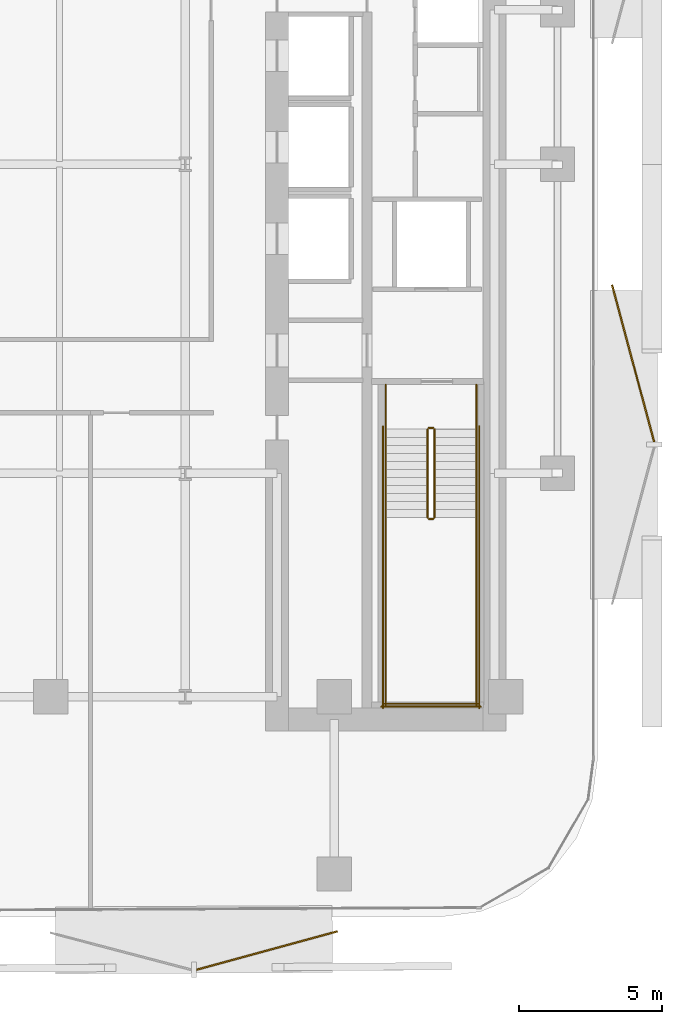
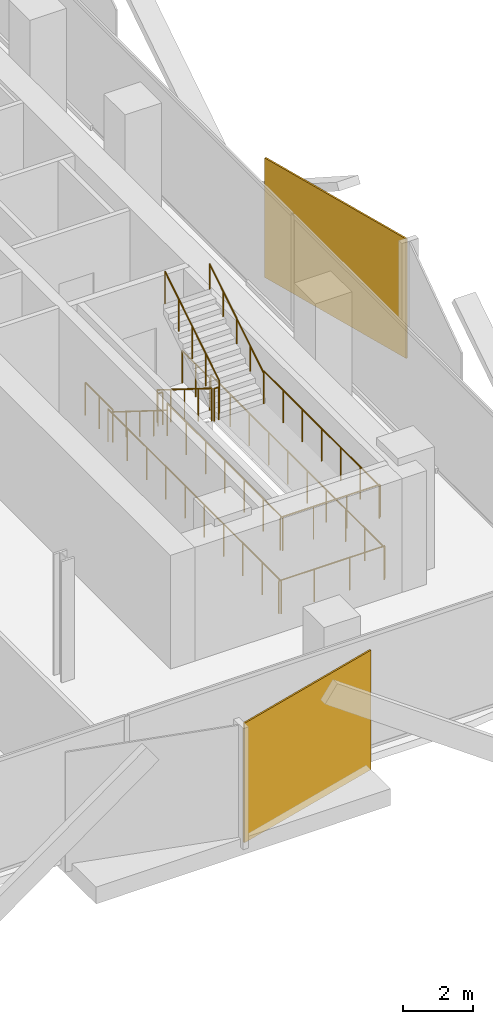
# One storey, part 12 of 14: 14 railings, 2 coverings.
"""IFC4 building model written with IfcOpenShell, lengths in metres."""

import ifcopenshell
import ifcopenshell.guid

model = None  # the IFC model being written
_history = None  # IfcOwnerHistory: only IFC2X3 demands one
_inside = {}  # id of a spatial element -> (the spatial element, [elements in it])
_under = {}  # id of a project, library or spatial element -> (it, [spatial elements below it])
_declared = {}  # id of a project -> (the project, [libraries it declares])
_typed = {}  # id of a type object -> (the type object, [elements of that type])
_made_of = {}  # id of a material, layer set ... -> (it, [elements and type objects made of it])


def new_model(schema):
    """Start an empty IFC model of exactly this schema.

    Asked for "IFC4X3", IfcOpenShell would pick the latest addendum, in which some entities
    have other attributes; the version numbers below select the first issue.
    IFC2X3 requires an IfcOwnerHistory on every rooted entity: one is made here for all.
    """
    global model, _history
    if schema == "IFC4X3":
        model = ifcopenshell.file(schema_version=(4, 3, 0, 0))
    else:
        model = ifcopenshell.file(schema=schema)
    _inside.clear()
    _under.clear()
    _declared.clear()
    _typed.clear()
    _made_of.clear()
    _history = None
    if model.schema == "IFC2X3":
        org = make("IfcOrganization", Name="unknown")
        user = make(
            "IfcPersonAndOrganization",
            ThePerson=make("IfcPerson", FamilyName="unknown"),
            TheOrganization=org,
        )
        app = make(
            "IfcApplication",
            ApplicationDeveloper=org,
            Version="unknown",
            ApplicationFullName="unknown",
            ApplicationIdentifier="unknown",
        )
        _history = make(
            "IfcOwnerHistory",
            OwningUser=user,
            OwningApplication=app,
            ChangeAction="ADDED",
            CreationDate=0,
        )
    return model


def make(cls, **values):
    """One entity of the class cls with the attributes given. An attribute that is None is left unset."""
    return model.create_entity(
        cls, **{name: value for name, value in values.items() if value is not None}
    )


def rooted(cls, **values):
    """An entity with a GlobalId (a new one), such as an element, a storey or a relation."""
    return make(cls, GlobalId=ifcopenshell.guid.new(), OwnerHistory=_history, **values)


def si_unit(unit_type, name, prefix=None):
    """IfcSIUnit, for example si_unit("LENGTHUNIT", "METRE", prefix="MILLI")."""
    return make("IfcSIUnit", UnitType=unit_type, Prefix=prefix, Name=name)


def assignment(units):
    """IfcUnitAssignment: the units of a project."""
    return None if units is None else make("IfcUnitAssignment", Units=units)


def point(xyz):
    """IfcCartesianPoint."""
    return None if xyz is None else make("IfcCartesianPoint", Coordinates=xyz)


def direction(xyz):
    """IfcDirection."""
    return None if xyz is None else make("IfcDirection", DirectionRatios=xyz)


def frame(location, z_axis=None, x_axis=None):
    """IfcAxis2Placement3D, a coordinate frame: its origin and axes. An axis left out is left unset."""
    return make(
        "IfcAxis2Placement3D",
        Location=point(location),
        Axis=direction(z_axis),
        RefDirection=direction(x_axis),
    )


def frame_2d(location, x_axis=None):
    """IfcAxis2Placement2D, a coordinate frame in the plane: its origin and x axis."""
    return make(
        "IfcAxis2Placement2D", Location=point(location), RefDirection=direction(x_axis)
    )


def origin():
    """The frame at (0, 0, 0) with its axes left unset."""
    return frame((0.0, 0.0, 0.0))


def origin_2d():
    """The frame at (0, 0) in the plane with its x axis left unset."""
    return frame_2d((0.0, 0.0))


def place(relative_to, where):
    """IfcLocalPlacement: puts the frame where relative to a parent placement (None: the world)."""
    return make(
        "IfcLocalPlacement", PlacementRelTo=relative_to, RelativePlacement=where
    )


def context(
    kind, dimensions, precision=None, world=None, true_north=None, identifier=None
):
    """IfcGeometricRepresentationContext, for example the 3D "Model" context."""
    return make(
        "IfcGeometricRepresentationContext",
        ContextIdentifier=identifier,
        ContextType=kind,
        CoordinateSpaceDimension=dimensions,
        Precision=precision,
        WorldCoordinateSystem=world,
        TrueNorth=true_north,
    )


def subcontext(parent, identifier, kind, view, scale=None):
    """IfcGeometricRepresentationSubContext, for example "Body" below "Model"."""
    return make(
        "IfcGeometricRepresentationSubContext",
        ContextIdentifier=identifier,
        ContextType=kind,
        ParentContext=parent,
        TargetScale=scale,
        TargetView=view,
    )


def project(units=None, contexts=None):
    """IfcProject with its units and contexts."""
    return rooted(
        "IfcProject",
        Name="project",
        RepresentationContexts=contexts,
        UnitsInContext=assignment(units),
    )


def spatial(cls, under=None, at=None, **own):
    """A site, building, storey or space (cls), placed at a placement, below another one or the project."""
    s = rooted(cls, ObjectPlacement=at, **own)
    if under is not None:
        _under.setdefault(under.id(), (under, []))[1].append(s)
    return s


def profile(cls, at=None, kind="AREA", **sizes):
    """A parametric profile (cls). Its sizes go by their IFC names, for example OverallWidth=200.0."""
    return make(cls, ProfileType=kind, Position=at, **sizes)


def rectangle(**sizes):
    """IfcRectangleProfileDef."""
    return profile("IfcRectangleProfileDef", **sizes)


def circle(**sizes):
    """IfcCircleProfileDef."""
    return profile("IfcCircleProfileDef", **sizes)


def extrude(swept, where, along, depth):
    """IfcExtrudedAreaSolid: the profile swept, set in the frame where, extruded along a direction by depth."""
    return make(
        "IfcExtrudedAreaSolid",
        SweptArea=swept,
        Position=where,
        ExtrudedDirection=direction(along),
        Depth=depth,
    )


def shape(context_of_items, identifier, shape_type, items):
    """IfcShapeRepresentation: the items that make up one representation, for example the "Body"."""
    return make(
        "IfcShapeRepresentation",
        ContextOfItems=context_of_items,
        RepresentationIdentifier=identifier,
        RepresentationType=shape_type,
        Items=items,
    )


def material(Name=None, Category=None):
    """IfcMaterial."""
    return make("IfcMaterial", Name=Name, Category=Category)


def layer(
    of_material, thickness, ventilated=None, Name=None, Category=None, Priority=None
):
    """IfcMaterialLayer: one layer of a wall or slab, of a material (None: an air gap)."""
    return make(
        "IfcMaterialLayer",
        Material=of_material,
        LayerThickness=thickness,
        IsVentilated=ventilated,
        Name=Name,
        Category=Category,
        Priority=Priority,
    )


def layer_set(layers, Name=None):
    """IfcMaterialLayerSet."""
    return make("IfcMaterialLayerSet", MaterialLayers=layers, LayerSetName=Name)


def made_of(thing, what):
    """Note that an element or type object is made of a material, layer set ...; save() writes the relation."""
    if what is not None:
        _made_of.setdefault(what.id(), (what, []))[1].append(thing)
    return thing


def type_object(cls, material=None, **own):
    """A type object (cls), such as IfcWallType, which elements share."""
    return made_of(rooted(cls, **own), material)


def element(
    cls,
    number,
    at=None,
    inside=None,
    cuts=None,
    type_object=None,
    material=None,
    context=None,
    identifier="Body",
    shape_type=None,
    held_by="IfcProductDefinitionShape",
    body=None,
    shapes=None,
    **own,
):
    """One element of the class cls, such as IfcWall. Its Tag is "e" and its number.

    at: its placement. inside: the storey or other place that contains it. cuts: it is an
    opening in that element (IfcRelVoidsElement). A single representation is given by context,
    identifier, shape_type and body (its items); several are given by shapes. held_by: the class
    of the entity that holds the representations. save() writes the other relations.
    """
    e = rooted(cls, Tag="e%d" % number, ObjectPlacement=at, **own)
    if body is not None:
        shapes = [shape(context, identifier, shape_type, body)]
    if shapes is not None:
        e.Representation = make(held_by, Representations=shapes)
    if inside is not None:
        _inside.setdefault(inside.id(), (inside, []))[1].append(e)
    if cuts is not None:
        rooted(
            "IfcRelVoidsElement", RelatingBuildingElement=cuts, RelatedOpeningElement=e
        )
    if type_object is not None:
        _typed.setdefault(type_object.id(), (type_object, []))[1].append(e)
    return made_of(e, material)


def aggregate(whole, parts):
    """IfcRelAggregates: a whole, such as a stair, and the parts it consists of."""
    return rooted("IfcRelAggregates", RelatingObject=whole, RelatedObjects=parts)


def save(model, path):
    """Write the relations noted so far, then the file.

    IfcRelAggregates (storeys below a building ...), IfcRelContainedInSpatialStructure (elements
    in a storey), IfcRelDefinesByType, IfcRelAssociatesMaterial and IfcRelDeclares: one each for
    every whole, place, type object, material and project.
    """
    for whole, parts in _under.values():
        aggregate(whole, parts)
    for where, things in _inside.values():
        rooted(
            "IfcRelContainedInSpatialStructure",
            RelatedElements=things,
            RelatingStructure=where,
        )
    for kind, things in _typed.values():
        rooted("IfcRelDefinesByType", RelatedObjects=things, RelatingType=kind)
    for what, things in _made_of.values():
        rooted("IfcRelAssociatesMaterial", RelatedObjects=things, RelatingMaterial=what)
    for by, libraries in _declared.values():
        rooted("IfcRelDeclares", RelatingContext=by, RelatedDefinitions=libraries)
    model.write(path)


model = new_model("IFC4")

# Units and contexts
model_context = context("Model", 3, precision=1e-05, world=origin(), true_north=direction((0.0, 1.0)))
body_context = subcontext(model_context, "Body", "Model", "MODEL_VIEW")
ifc_project = project(units=[si_unit("LENGTHUNIT", "METRE"), si_unit("AREAUNIT", "SQUARE_METRE"), si_unit("VOLUMEUNIT", "CUBIC_METRE"), si_unit("PLANEANGLEUNIT", "RADIAN"), si_unit("MASSUNIT", "GRAM", prefix="KILO")], contexts=[model_context])

# Site, building, storey
site_placement = place(None, origin())
site = spatial("IfcSite", under=ifc_project, at=site_placement, CompositionType="ELEMENT")
building_placement = place(site_placement, origin())
building = spatial("IfcBuilding", under=site, at=building_placement, Name="Khairoan Windgate Tower", CompositionType="ELEMENT")
storey_placement = place(building_placement, frame((0.0, 0.0, 93.199951171875)))
storey = spatial("IfcBuildingStorey", under=building, at=storey_placement, Name="L21", CompositionType="ELEMENT", Elevation=93.199951171875)

# Coverings
ifc_material_1 = material(Name="Anodised Bronze Aluminium 6063-T6", Category="aluminium")
ifc_layer = layer(ifc_material_1, 0.054931640625, Name="Anodised Bronze Aluminium 6063-T6")
ifc_layer_set = layer_set([ifc_layer], Name="Anodised Bronze Aluminium 6063-T6")
covering_type = type_object("IfcCoveringType", Name="Perforated Bronze-Ceramic Folded Solar Screen Cladding BSC-1", PredefinedType="CLADDING", material=ifc_layer_set)
covering_1_placement = place(storey_placement, frame((12.05322265625, -27.472412109375, -0.10009765625), z_axis=(0.0, 0.0, 1.0), x_axis=(-0.964649468762, -0.263536339841, 0.0)))
element("IfcCovering", 1, at=covering_1_placement, inside=storey, type_object=covering_type, Name="L21 Folded Bronze Solar Screen Facet 113L", PredefinedType="CLADDING", context=body_context, shape_type="SweptSolid", body=[
    extrude(rectangle(XDim=5.10107421875, YDim=0.054931640625, at=origin_2d()), origin(), (0.0, 0.0, 1.0), 4.139892578125),
])
covering_2_placement = place(storey_placement, frame((24.8447265625, -6.961669921875, -0.10009765625), z_axis=(0.0, 0.0, 1.0), x_axis=(0.258819045103, -0.965925826289, 0.0)))
element("IfcCovering", 2, at=covering_2_placement, inside=storey, type_object=covering_type, Name="L21 Folded Bronze Solar Screen Facet 120L", PredefinedType="CLADDING", context=body_context, shape_type="SweptSolid", body=[
    extrude(rectangle(XDim=5.680908203125, YDim=0.054931640625, at=origin_2d()), origin(), (0.0, 0.0, 1.0), 4.139892578125),
])

# Railings
ifc_material_2 = material(Name="Anodised Bronze Aluminium 6063-T6", Category="aluminium")
railing_type_1 = type_object("IfcRailingType", Name="Stair Wall Handrail SHR-900", PredefinedType="HANDRAIL", material=ifc_material_2)
railing_1_placement = place(storey_placement, frame((16.199951171875, -9.260009765625, 0.175048828125)))
element("IfcRailing", 3, at=railing_1_placement, inside=storey, type_object=railing_type_1, Name="L21 ST1 stair handrail 1", PredefinedType="HANDRAIL", context=body_context, shape_type="SweptSolid", body=[
    extrude(circle(Radius=0.02392578125, at=origin_2d()), frame((0.0, 0.0, 0.8759765625), z_axis=(0.0, -0.847998304005, 0.529998940003), x_axis=(1.0, 0.0, 0.0)), (0.0, 0.0, 1.0), 3.632080078125),
    extrude(circle(Radius=0.02099609375, at=origin_2d()), origin(), (0.0, 0.0, 1.0), 0.851806640625),
    extrude(circle(Radius=0.02099609375, at=origin_2d()), frame((0.0, -0.77001953125, 0.481201171875)), (0.0, 0.0, 1.0), 0.851806640625),
    extrude(circle(Radius=0.02099609375, at=origin_2d()), frame((0.0, -1.5400390625, 0.96240234375)), (0.0, 0.0, 1.0), 0.851806640625),
    extrude(circle(Radius=0.02099609375, at=origin_2d()), frame((0.0, -2.31005859375, 1.44384765625)), (0.0, 0.0, 1.0), 0.851806640625),
    extrude(circle(Radius=0.02099609375, at=origin_2d()), frame((0.0, -3.080078125, 1.925048828125)), (0.0, 0.0, 1.0), 0.851806640625),
])
railing_2_placement = place(storey_placement, frame((19.3701171875, -12.340087890625, 2.275146484375)))
element("IfcRailing", 4, at=railing_2_placement, inside=storey, type_object=railing_type_1, Name="L21 ST1 stair handrail 2", PredefinedType="HANDRAIL", context=body_context, shape_type="SweptSolid", body=[
    extrude(circle(Radius=0.02392578125, at=origin_2d()), frame((0.0, 0.0, 0.8759765625), z_axis=(0.0, 0.848028513186, 0.529950602248), x_axis=(-1.0, 0.0, 0.0)), (0.0, 0.0, 1.0), 3.632080078125),
    extrude(circle(Radius=0.02099609375, at=origin_2d()), origin(), (0.0, 0.0, 1.0), 0.851806640625),
    extrude(circle(Radius=0.02099609375, at=origin_2d()), frame((0.0, 0.77001953125, 0.481201171875)), (0.0, 0.0, 1.0), 0.851806640625),
    extrude(circle(Radius=0.02099609375, at=origin_2d()), frame((0.0, 1.5400390625, 0.96240234375)), (0.0, 0.0, 1.0), 0.851806640625),
    extrude(circle(Radius=0.02099609375, at=origin_2d()), frame((0.0, 2.31005859375, 1.443603515625)), (0.0, 0.0, 1.0), 0.851806640625),
    extrude(circle(Radius=0.02099609375, at=origin_2d()), frame((0.0, 3.080078125, 1.9248046875)), (0.0, 0.0, 1.0), 0.851806640625),
])
ifc_material_3 = material(Name="Steel S355", Category="steel")
railing_type_2 = type_object("IfcRailingType", Name="Stairwell Safety Guardrail SGR-1150", PredefinedType="GUARDRAIL", material=ifc_material_3)
railing_3_placement = place(storey_placement, frame((17.659912109375, -9.260009765625, 0.175048828125)))
element("IfcRailing", 5, at=railing_3_placement, inside=storey, type_object=railing_type_2, Name="L21 ST1 stair guard 1", PredefinedType="GUARDRAIL", context=body_context, shape_type="SweptSolid", body=[
    extrude(circle(Radius=0.02392578125, at=origin_2d()), frame((0.0, 0.0, 1.1259765625), z_axis=(0.0, -0.847998304005, 0.529998940003), x_axis=(1.0, 0.0, 0.0)), (0.0, 0.0, 1.0), 3.632080078125),
    extrude(circle(Radius=0.02099609375, at=origin_2d()), origin(), (0.0, 0.0, 1.0), 1.101806640625),
    extrude(circle(Radius=0.02099609375, at=origin_2d()), frame((0.0, -0.77001953125, 0.481201171875)), (0.0, 0.0, 1.0), 1.101806640625),
    extrude(circle(Radius=0.02099609375, at=origin_2d()), frame((0.0, -1.5400390625, 0.96240234375)), (0.0, 0.0, 1.0), 1.101806640625),
    extrude(circle(Radius=0.02099609375, at=origin_2d()), frame((0.0, -2.31005859375, 1.44384765625)), (0.0, 0.0, 1.0), 1.101806640625),
    extrude(circle(Radius=0.02099609375, at=origin_2d()), frame((0.0, -3.080078125, 1.925048828125)), (0.0, 0.0, 1.0), 1.101806640625),
])
railing_4_placement = place(storey_placement, frame((17.7099609375, -12.389892578125, 2.10009765625)))
element("IfcRailing", 6, at=railing_4_placement, inside=storey, type_object=railing_type_2, Name="L21 ST1 stair guard 2", PredefinedType="GUARDRAIL", context=body_context, shape_type="SweptSolid", body=[
    extrude(circle(Radius=0.02392578125, at=origin_2d()), frame((0.0, 0.0, 1.1259765625), z_axis=(1.0, 0.0, 0.0), x_axis=(0.0, 1.0, 0.0)), (0.0, 0.0, 1.0), 0.150146484375),
    extrude(circle(Radius=0.02099609375, at=origin_2d()), origin(), (0.0, 0.0, 1.0), 1.101806640625),
    extrude(circle(Radius=0.02099609375, at=origin_2d()), frame((0.150146484375, 0.0, 0.0)), (0.0, 0.0, 1.0), 1.101806640625),
])
for number, where, name in (
    (7, (16.199951171875, -12.340087890625, 2.10009765625), "L21 ST1 stair guard 3"),
    (8, (19.3701171875, -12.340087890625, 2.10009765625), "L21 ST1 stair guard 4"),
):
    element("IfcRailing", number, at=place(storey_placement, frame(where)), inside=storey, type_object=railing_type_2, Name=name, PredefinedType="GUARDRAIL", context=body_context, shape_type="SweptSolid", body=[
        extrude(circle(Radius=0.02392578125, at=origin_2d()), frame((0.0, 0.0, 1.1259765625), z_axis=(0.0, -1.0, 0.0), x_axis=(1.0, 0.0, 0.0)), (0.0, 0.0, 1.0), 6.559814453125),
        extrude(circle(Radius=0.02099609375, at=origin_2d()), origin(), (0.0, 0.0, 1.0), 1.101806640625),
        extrude(circle(Radius=0.02099609375, at=origin_2d()), frame((0.0, -1.09326171875, 0.0)), (0.0, 0.0, 1.0), 1.101806640625),
        extrude(circle(Radius=0.02099609375, at=origin_2d()), frame((0.0, -2.1865234375, 0.0)), (0.0, 0.0, 1.0), 1.101806640625),
        extrude(circle(Radius=0.02099609375, at=origin_2d()), frame((0.0, -3.27978515625, 0.0)), (0.0, 0.0, 1.0), 1.101806640625),
        extrude(circle(Radius=0.02099609375, at=origin_2d()), frame((0.0, -4.373291015625, 0.0)), (0.0, 0.0, 1.0), 1.101806640625),
        extrude(circle(Radius=0.02099609375, at=origin_2d()), frame((0.0, -5.466552734375, 0.0)), (0.0, 0.0, 1.0), 1.101806640625),
        extrude(circle(Radius=0.02099609375, at=origin_2d()), frame((0.0, -6.559814453125, 0.0)), (0.0, 0.0, 1.0), 1.101806640625),
    ])
railing_5_placement = place(storey_placement, frame((16.14990234375, -18.85009765625, 2.10009765625)))
element("IfcRailing", 9, at=railing_5_placement, inside=storey, type_object=railing_type_2, Name="L21 ST1 stair guard 5", PredefinedType="GUARDRAIL", context=body_context, shape_type="SweptSolid", body=[
    extrude(circle(Radius=0.02392578125, at=origin_2d()), frame((0.0, 0.0, 1.1259765625), z_axis=(1.0, 0.0, 0.0), x_axis=(0.0, 1.0, 0.0)), (0.0, 0.0, 1.0), 3.27001953125),
    extrude(circle(Radius=0.02099609375, at=origin_2d()), origin(), (0.0, 0.0, 1.0), 1.101806640625),
    extrude(circle(Radius=0.02099609375, at=origin_2d()), frame((1.090087890625, 0.0, 0.0)), (0.0, 0.0, 1.0), 1.101806640625),
    extrude(circle(Radius=0.02099609375, at=origin_2d()), frame((2.179931640625, 0.0, 0.0)), (0.0, 0.0, 1.0), 1.101806640625),
    extrude(circle(Radius=0.02099609375, at=origin_2d()), frame((3.27001953125, 0.0, 0.0)), (0.0, 0.0, 1.0), 1.101806640625),
])
railing_6_placement = place(storey_placement, frame((17.909912109375, -12.340087890625, 2.275146484375)))
element("IfcRailing", 10, at=railing_6_placement, inside=storey, type_object=railing_type_2, Name="L21 ST1 stair guard 6", PredefinedType="GUARDRAIL", context=body_context, shape_type="SweptSolid", body=[
    extrude(circle(Radius=0.02392578125, at=origin_2d()), frame((0.0, 0.0, 1.1259765625), z_axis=(0.0, 0.848028513186, 0.529950602248), x_axis=(-1.0, 0.0, 0.0)), (0.0, 0.0, 1.0), 3.632080078125),
    extrude(circle(Radius=0.02099609375, at=origin_2d()), origin(), (0.0, 0.0, 1.0), 1.101806640625),
    extrude(circle(Radius=0.02099609375, at=origin_2d()), frame((0.0, 0.77001953125, 0.481201171875)), (0.0, 0.0, 1.0), 1.101806640625),
    extrude(circle(Radius=0.02099609375, at=origin_2d()), frame((0.0, 1.5400390625, 0.96240234375)), (0.0, 0.0, 1.0), 1.101806640625),
    extrude(circle(Radius=0.02099609375, at=origin_2d()), frame((0.0, 2.31005859375, 1.443603515625)), (0.0, 0.0, 1.0), 1.101806640625),
    extrude(circle(Radius=0.02099609375, at=origin_2d()), frame((0.0, 3.080078125, 1.9248046875)), (0.0, 0.0, 1.0), 1.101806640625),
])
railing_7_placement = place(storey_placement, frame((17.7099609375, -9.2099609375, 0.0)))
element("IfcRailing", 11, at=railing_7_placement, inside=storey, type_object=railing_type_2, Name="L21 ST1 stair guard 7", PredefinedType="GUARDRAIL", context=body_context, shape_type="SweptSolid", body=[
    extrude(circle(Radius=0.02392578125, at=origin_2d()), frame((0.0, 0.0, 1.1259765625), z_axis=(1.0, 0.0, 0.0), x_axis=(0.0, 1.0, 0.0)), (0.0, 0.0, 1.0), 0.150146484375),
    extrude(circle(Radius=0.02099609375, at=origin_2d()), origin(), (0.0, 0.0, 1.0), 1.101806640625),
    extrude(circle(Radius=0.02099609375, at=origin_2d()), frame((0.150146484375, 0.0, 0.0)), (0.0, 0.0, 1.0), 1.101806640625),
])
for number, where, name in (
    (12, (16.199951171875, -7.699951171875, 0.0), "L21 ST1 stair guard 8"),
    (13, (19.3701171875, -7.699951171875, 0.0), "L21 ST1 stair guard 9"),
):
    element("IfcRailing", number, at=place(storey_placement, frame(where)), inside=storey, type_object=railing_type_2, Name=name, PredefinedType="GUARDRAIL", context=body_context, shape_type="SweptSolid", body=[
        extrude(circle(Radius=0.02392578125, at=origin_2d()), frame((0.0, 0.0, 1.1259765625), z_axis=(0.0, -1.0, 0.0), x_axis=(1.0, 0.0, 0.0)), (0.0, 0.0, 1.0), 1.56005859375),
        extrude(circle(Radius=0.02099609375, at=origin_2d()), origin(), (0.0, 0.0, 1.0), 1.101806640625),
        extrude(circle(Radius=0.02099609375, at=origin_2d()), frame((0.0, -0.780029296875, 0.0)), (0.0, 0.0, 1.0), 1.101806640625),
        extrude(circle(Radius=0.02099609375, at=origin_2d()), frame((0.0, -1.56005859375, 0.0)), (0.0, 0.0, 1.0), 1.101806640625),
    ])
for number, where, name in (
    (14, (16.10009765625, -9.159912109375, 0.0), "L21 ST1 stair guard 10"),
    (15, (19.469970703125, -9.159912109375, 0.0), "L21 ST1 stair guard 11"),
):
    element("IfcRailing", number, at=place(storey_placement, frame(where)), inside=storey, type_object=railing_type_2, Name=name, PredefinedType="GUARDRAIL", context=body_context, shape_type="SweptSolid", body=[
        extrude(circle(Radius=0.02392578125, at=origin_2d()), frame((0.0, 0.0, 1.1259765625), z_axis=(0.0, -1.0, 0.0), x_axis=(1.0, 0.0, 0.0)), (0.0, 0.0, 1.0), 9.840087890625),
        extrude(circle(Radius=0.02099609375, at=origin_2d()), origin(), (0.0, 0.0, 1.0), 1.101806640625),
        extrude(circle(Radius=0.02099609375, at=origin_2d()), frame((0.0, -1.09326171875, 0.0)), (0.0, 0.0, 1.0), 1.101806640625),
        extrude(circle(Radius=0.02099609375, at=origin_2d()), frame((0.0, -2.186767578125, 0.0)), (0.0, 0.0, 1.0), 1.101806640625),
        extrude(circle(Radius=0.02099609375, at=origin_2d()), frame((0.0, -3.280029296875, 0.0)), (0.0, 0.0, 1.0), 1.101806640625),
        extrude(circle(Radius=0.02099609375, at=origin_2d()), frame((0.0, -4.373291015625, 0.0)), (0.0, 0.0, 1.0), 1.101806640625),
        extrude(circle(Radius=0.02099609375, at=origin_2d()), frame((0.0, -5.466796875, 0.0)), (0.0, 0.0, 1.0), 1.101806640625),
        extrude(circle(Radius=0.02099609375, at=origin_2d()), frame((0.0, -6.56005859375, 0.0)), (0.0, 0.0, 1.0), 1.101806640625),
        extrude(circle(Radius=0.02099609375, at=origin_2d()), frame((0.0, -7.6533203125, 0.0)), (0.0, 0.0, 1.0), 1.101806640625),
        extrude(circle(Radius=0.02099609375, at=origin_2d()), frame((0.0, -8.746826171875, 0.0)), (0.0, 0.0, 1.0), 1.101806640625),
        extrude(circle(Radius=0.02099609375, at=origin_2d()), frame((0.0, -9.840087890625, 0.0)), (0.0, 0.0, 1.0), 1.101806640625),
    ])
railing_8_placement = place(storey_placement, frame((16.050048828125, -18.949951171875, 0.0)))
element("IfcRailing", 16, at=railing_8_placement, inside=storey, type_object=railing_type_2, Name="L21 ST1 stair guard 12", PredefinedType="GUARDRAIL", context=body_context, shape_type="SweptSolid", body=[
    extrude(circle(Radius=0.02392578125, at=origin_2d()), frame((0.0, 0.0, 1.1259765625), z_axis=(1.0, 0.0, 0.0), x_axis=(0.0, 1.0, 0.0)), (0.0, 0.0, 1.0), 3.469970703125),
    extrude(circle(Radius=0.02099609375, at=origin_2d()), origin(), (0.0, 0.0, 1.0), 1.101806640625),
    extrude(circle(Radius=0.02099609375, at=origin_2d()), frame((1.15673828125, 0.0, 0.0)), (0.0, 0.0, 1.0), 1.101806640625),
    extrude(circle(Radius=0.02099609375, at=origin_2d()), frame((2.313232421875, 0.0, 0.0)), (0.0, 0.0, 1.0), 1.101806640625),
    extrude(circle(Radius=0.02099609375, at=origin_2d()), frame((3.469970703125, 0.0, 0.0)), (0.0, 0.0, 1.0), 1.101806640625),
])

save(model, "model.ifc")
